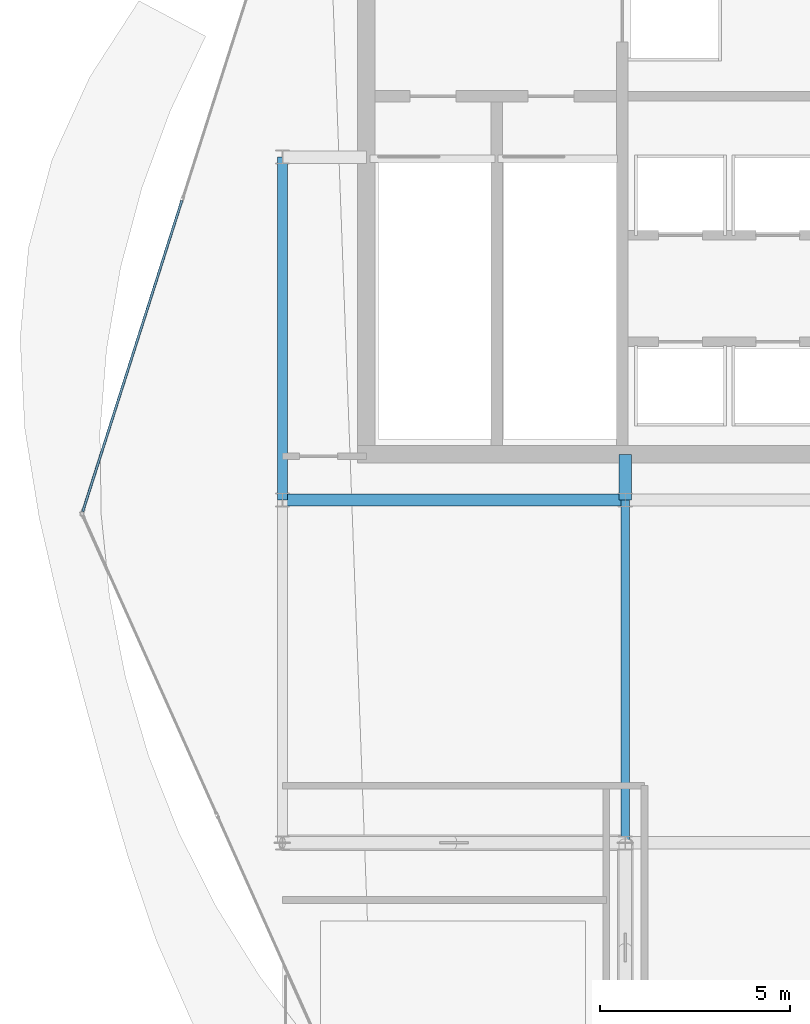
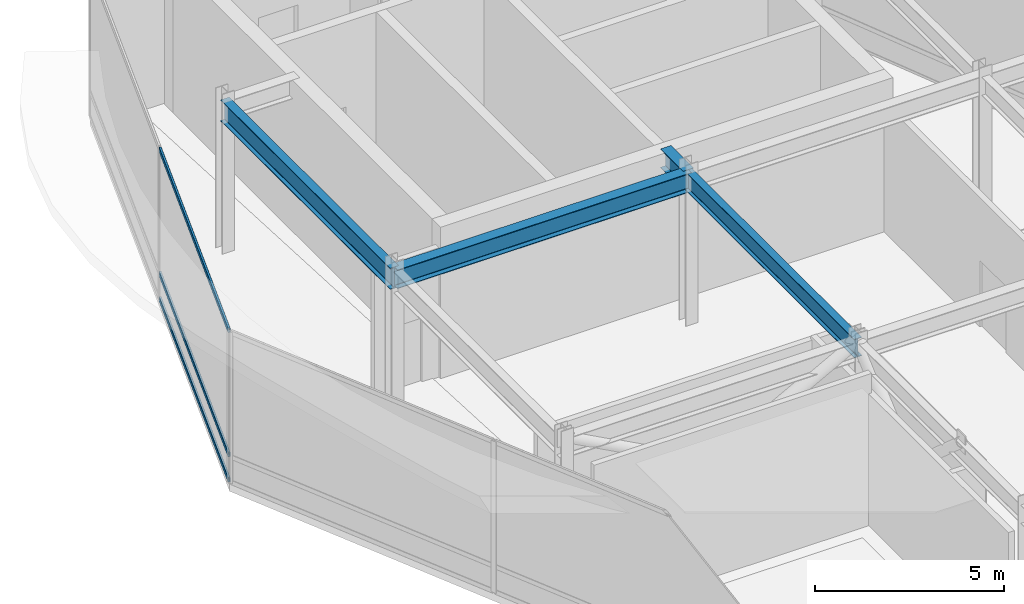
# One storey, part 7 of 19: 4 beams, 3 members, 1 element without a shape of its own.
"""IFC4 building model written with IfcOpenShell, lengths in metres."""

from ifc_helpers import new_model, si_unit, direction, frame, origin, origin_2d, place, context, subcontext, project, spatial, hollow_rectangle, i_section, extrude, material, layer, layer_set, material_profile, profile_set, type_object, element, aggregate, save


model = new_model("IFC4")

# Units and contexts
model_context = context("Model", 3, precision=1e-05, world=origin(), true_north=direction((0.0, 1.0)))
body_context = subcontext(model_context, "Body", "Model", "MODEL_VIEW")
ifc_project = project(units=[si_unit("LENGTHUNIT", "METRE"), si_unit("AREAUNIT", "SQUARE_METRE"), si_unit("VOLUMEUNIT", "CUBIC_METRE"), si_unit("PLANEANGLEUNIT", "RADIAN"), si_unit("MASSUNIT", "GRAM", prefix="KILO")], contexts=[model_context])

# Site, building, storey
site_placement = place(None, origin())
site = spatial("IfcSite", under=ifc_project, at=site_placement, CompositionType="ELEMENT")
building_placement = place(site_placement, origin())
building = spatial("IfcBuilding", under=site, at=building_placement, Name="Solvaryn Broadcast Tower", CompositionType="ELEMENT")
storey_placement = place(building_placement, frame((0.0, 0.0, 302.60009765625)))
storey = spatial("IfcBuildingStorey", under=building, at=storey_placement, Name="L76", CompositionType="ELEMENT", Elevation=302.60009765625)

# Beams
ifc_material_1 = material(Name="Steel ASTM A992 Grade 50", Category="steel")
ifc_material_profile_1 = material_profile(ifc_material_1, i_section(OverallWidth=0.323974609375, OverallDepth=0.611083984375, WebThickness=0.0126953125, FlangeThickness=0.01904296875, FilletRadius=0.014892578125, at=origin_2d()))
ifc_profile_set_1 = profile_set([ifc_material_profile_1], Name="Steel ASTM A992 Grade 50")
beam_type_1 = type_object("IfcBeamType", Name="BM-B1-W24X104", PredefinedType="BEAM", material=ifc_profile_set_1)
beam_1_placement = place(storey_placement, frame((9.0, 27.0, 4.594482421875), z_axis=(1.0, 0.0, 0.0), x_axis=(0.0, 1.0, 0.0)))
element("IfcBeam", 1, at=beam_1_placement, inside=storey, type_object=beam_type_1, Name="L76 Primary Beam X (9-18 @ Y=27)", PredefinedType="BEAM", context=body_context, shape_type="SweptSolid", body=[
    extrude(i_section(OverallWidth=0.323974609375, OverallDepth=0.611083984375, WebThickness=0.0126953125, FlangeThickness=0.01904296875, FilletRadius=0.014892578125, at=origin_2d()), origin(), (0.0, 0.0, 1.0), 9.0),
])
beam_2_placement = place(storey_placement, frame((18.0, 27.0, 4.594482421875), z_axis=(0.0, 1.0, 0.0), x_axis=(-1.0, 0.0, 0.0)))
element("IfcBeam", 2, at=beam_2_placement, inside=storey, type_object=beam_type_1, Name="L76 Core Tie Beam CTW4", PredefinedType="BEAM", context=body_context, shape_type="SweptSolid", body=[
    extrude(i_section(OverallWidth=0.323974609375, OverallDepth=0.611083984375, WebThickness=0.0126953125, FlangeThickness=0.01904296875, FilletRadius=0.014892578125, at=origin_2d()), origin(), (0.0, 0.0, 1.0), 1.199951171875),
])
ifc_material_2 = material(Name="Steel ASTM A992 Grade 50", Category="steel")
ifc_material_profile_2 = material_profile(ifc_material_2, i_section(OverallWidth=0.22802734375, OverallDepth=0.60791015625, WebThickness=0.01123046875, FlangeThickness=0.017333984375, FilletRadius=0.014892578125, at=origin_2d()))
ifc_profile_set_2 = profile_set([ifc_material_profile_2], Name="Steel ASTM A992 Grade 50")
beam_type_2 = type_object("IfcBeamType", Name="BM-B2-W24X76", PredefinedType="BEAM", material=ifc_profile_set_2)
beam_3_placement = place(storey_placement, frame((18.0, 18.0, 4.595947265625), z_axis=(0.0, 1.0, 0.0), x_axis=(-1.0, 0.0, 0.0)))
element("IfcBeam", 3, at=beam_3_placement, inside=storey, type_object=beam_type_2, Name="L76 Primary Beam Y (18-27 @ X=18)", PredefinedType="BEAM", context=body_context, shape_type="SweptSolid", body=[
    extrude(i_section(OverallWidth=0.22802734375, OverallDepth=0.60791015625, WebThickness=0.01123046875, FlangeThickness=0.017333984375, FilletRadius=0.014892578125, at=origin_2d()), origin(), (0.0, 0.0, 1.0), 9.0),
])
ifc_material_3 = material(Name="Steel ASTM A992 Grade 50", Category="steel")
ifc_material_profile_3 = material_profile(ifc_material_3, i_section(OverallWidth=0.256103515625, OverallDepth=0.693115234375, WebThickness=0.014404296875, FlangeThickness=0.023681640625, FilletRadius=0.01611328125, at=origin_2d()))
ifc_profile_set_3 = profile_set([ifc_material_profile_3], Name="Steel ASTM A992 Grade 50")
beam_type_3 = type_object("IfcBeamType", Name="BM-SP3-W27X114", PredefinedType="USERDEFINED", material=ifc_profile_set_3)
beam_4_placement = place(storey_placement, frame((9.0, 27.0, 4.553466796875), z_axis=(0.0, 1.0, 0.0), x_axis=(-1.0, 0.0, 0.0)))
element("IfcBeam", 4, at=beam_4_placement, inside=storey, type_object=beam_type_3, Name="L76 Spandrel Beam Y (27-36 @ X=9)", ObjectType="SPANDREL", PredefinedType="USERDEFINED", context=body_context, shape_type="SweptSolid", body=[
    extrude(i_section(OverallWidth=0.256103515625, OverallDepth=0.693115234375, WebThickness=0.014404296875, FlangeThickness=0.023681640625, FilletRadius=0.01611328125, at=origin_2d()), origin(), (0.0, 0.0, 1.0), 9.0),
])

# Curtain wall, members
ifc_material_4 = material(Name="Aluminium and Terracotta Unitised Curtain Wall", Category="masonry")
ifc_layer = layer(ifc_material_4, 0.260009765625)
ifc_layer_set = layer_set([ifc_layer], Name="CW-SYS5-DAMPER")
curtain_wall_type = type_object("IfcCurtainWallType", Name="CW-SYS5-DAMPER", PredefinedType="NOTDEFINED", material=ifc_layer_set)
curtain_wall_placement = place(storey_placement, origin())
curtain_wall = element("IfcCurtainWall", 5, at=curtain_wall_placement, inside=storey, type_object=curtain_wall_type, Name="L76 Curtain Wall DR1", PredefinedType="NOTDEFINED")
ifc_material_5 = material(Name="Anodised Aluminium 6063-T6", Category="aluminium")
ifc_material_profile_4 = material_profile(ifc_material_5, hollow_rectangle(XDim=0.06494140625, YDim=0.14990234375, WallThickness=0.00390625, InnerFilletRadius=0.00390625, OuterFilletRadius=0.008056640625, at=origin_2d()))
ifc_profile_set_4 = profile_set([ifc_material_profile_4], Name="Anodised Aluminium 6063-T6")
member_type = type_object("IfcMemberType", Name="CW-TRN-150", PredefinedType="USERDEFINED", material=ifc_profile_set_4)
member_1_placement = place(storey_placement, frame((6.35986328125, 34.864013671875, 0.02978515625), z_axis=(-0.303619603822, -0.952793333402, 0.0), x_axis=(0.952793333402, -0.303619603822, 0.0)))
member_1 = element("IfcMember", 6, at=member_1_placement, type_object=member_type, Name="CWS5 transom 2.1", ObjectType="TRANSOM", PredefinedType="USERDEFINED", context=body_context, shape_type="SweptSolid", body=[
    extrude(hollow_rectangle(XDim=0.06494140625, YDim=0.14990234375, WallThickness=0.00390625, InnerFilletRadius=0.00390625, OuterFilletRadius=0.008056640625, at=origin_2d()), origin(), (0.0, 0.0, 1.0), 8.57568359375),
])
member_2_placement = place(storey_placement, frame((6.35986328125, 34.864013671875, 0.849853515625), z_axis=(-0.303619603822, -0.952793333402, 0.0), x_axis=(0.952793333402, -0.303619603822, 0.0)))
member_2 = element("IfcMember", 7, at=member_2_placement, type_object=member_type, Name="CWS5 transom 2.2", ObjectType="TRANSOM", PredefinedType="USERDEFINED", context=body_context, shape_type="SweptSolid", body=[
    extrude(hollow_rectangle(XDim=0.06494140625, YDim=0.14990234375, WallThickness=0.00390625, InnerFilletRadius=0.00390625, OuterFilletRadius=0.008056640625, at=origin_2d()), origin(), (0.0, 0.0, 1.0), 8.57568359375),
])
member_3_placement = place(storey_placement, frame((6.35986328125, 34.864013671875, 4.869873046875), z_axis=(-0.303619603822, -0.952793333402, 0.0), x_axis=(0.952793333402, -0.303619603822, 0.0)))
member_3 = element("IfcMember", 8, at=member_3_placement, type_object=member_type, Name="CWS5 transom 2.3", ObjectType="TRANSOM", PredefinedType="USERDEFINED", context=body_context, shape_type="SweptSolid", body=[
    extrude(hollow_rectangle(XDim=0.06494140625, YDim=0.14990234375, WallThickness=0.00390625, InnerFilletRadius=0.00390625, OuterFilletRadius=0.008056640625, at=origin_2d()), origin(), (0.0, 0.0, 1.0), 8.57568359375),
])
aggregate(curtain_wall, [member_1, member_2, member_3])

save(model, "model.ifc")
